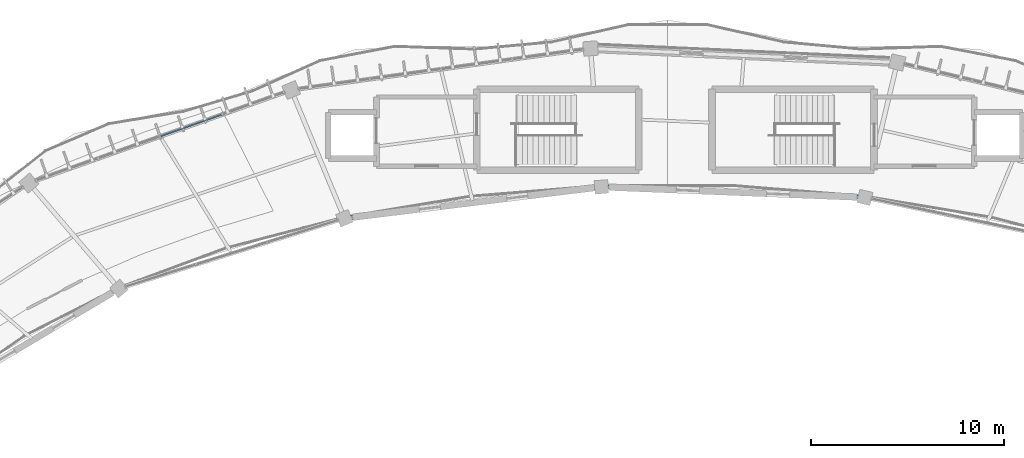
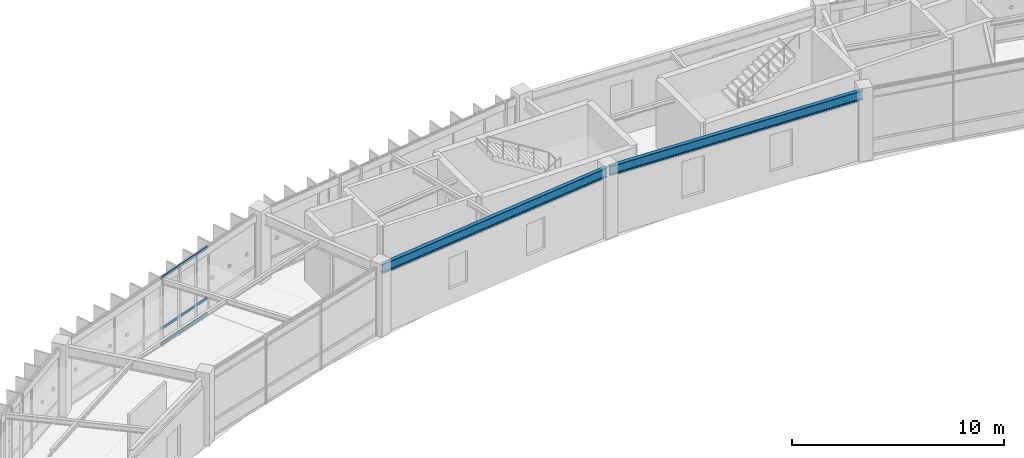
# One storey, part 71 of 152: 3 members, 2 beams, 1 element without a shape of its own.
"""IFC4 building model written with IfcOpenShell, lengths in metres."""

from ifc_helpers import new_model, si_unit, direction, frame, origin, origin_2d, place, context, subcontext, project, spatial, hollow_rectangle, i_section, extrude, material, material_profile, profile_set, type_object, element, aggregate, save


model = new_model("IFC4")

# Units and contexts
model_context = context("Model", 3, precision=1e-05, world=origin(), true_north=direction((0.0, 1.0)))
body_context = subcontext(model_context, "Body", "Model", "MODEL_VIEW")
ifc_project = project(units=[si_unit("LENGTHUNIT", "METRE"), si_unit("AREAUNIT", "SQUARE_METRE"), si_unit("VOLUMEUNIT", "CUBIC_METRE"), si_unit("PLANEANGLEUNIT", "RADIAN"), si_unit("MASSUNIT", "GRAM", prefix="KILO"), si_unit("THERMODYNAMICTEMPERATUREUNIT", "KELVIN"), si_unit("POWERUNIT", "WATT")], contexts=[model_context])

# Site, building, storey
site_placement = place(None, origin())
site = spatial("IfcSite", under=ifc_project, at=site_placement, CompositionType="ELEMENT")
building_placement = place(site_placement, origin())
building = spatial("IfcBuilding", under=site, at=building_placement, Name="Darbajah Civic Hall", CompositionType="ELEMENT")
storey_placement = place(building_placement, frame((0.0, 0.0, 5.39990234375)))
storey = spatial("IfcBuildingStorey", under=building, at=storey_placement, Name="L01", CompositionType="ELEMENT", Elevation=5.39990234375)

# Curtain wall, members
ifc_material_1 = material(Name="Anodised Bronze Aluminium and Low-E Glazing", Category="aluminium")
curtain_wall_type = type_object("IfcCurtainWallType", Name="Unitised Curtain Wall CW-24 13700x3900", PredefinedType="USERDEFINED", material=ifc_material_1)
curtain_wall_placement = place(storey_placement, origin())
curtain_wall = element("IfcCurtainWall", 1, at=curtain_wall_placement, inside=storey, type_object=curtain_wall_type, Name="L01 unitised curtain wall CW-V1O-L01-06", ObjectType="UNITISED CURTAIN WALL", PredefinedType="USERDEFINED")
ifc_material_2 = material(Name="Anodised Bronze Aluminium", Category="aluminium")
ifc_material_profile_1 = material_profile(ifc_material_2, hollow_rectangle(XDim=0.06494140625, YDim=0.139892578125, WallThickness=0.00341796875, at=origin_2d()), Name="ALU TRANSOM 65x140")
ifc_profile_set_1 = profile_set([ifc_material_profile_1], Name="Anodised Bronze Aluminium")
member_type = type_object("IfcMemberType", Name="ALU TRANSOM 65x140", PredefinedType="USERDEFINED", material=ifc_profile_set_1)
member_1_placement = place(storey_placement, frame((65.968994140625, 115.773193359375, 0.070068359375), z_axis=(-0.942559740686, -0.334037625483, 0.0), x_axis=(0.334037625483, -0.942559740686, 0.0)))
member_1 = element("IfcMember", 2, at=member_1_placement, type_object=member_type, Name="CW-V1O-L01-06 transom 2.1", ObjectType="TRANSOM", PredefinedType="USERDEFINED", context=body_context, shape_type="SweptSolid", body=[
    extrude(hollow_rectangle(XDim=0.06494140625, YDim=0.139892578125, WallThickness=0.00341796875, at=origin_2d()), origin(), (0.0, 0.0, 1.0), 3.34521484375),
])
member_2_placement = place(storey_placement, frame((65.968994140625, 115.773193359375, 0.9501953125), z_axis=(-0.942559740686, -0.334037625483, 0.0), x_axis=(0.334037625483, -0.942559740686, 0.0)))
member_2 = element("IfcMember", 3, at=member_2_placement, type_object=member_type, Name="CW-V1O-L01-06 transom 2.2", ObjectType="TRANSOM", PredefinedType="USERDEFINED", context=body_context, shape_type="SweptSolid", body=[
    extrude(hollow_rectangle(XDim=0.06494140625, YDim=0.139892578125, WallThickness=0.00341796875, at=origin_2d()), origin(), (0.0, 0.0, 1.0), 3.34521484375),
])
member_3_placement = place(storey_placement, frame((65.968994140625, 115.773193359375, 3.85009765625), z_axis=(-0.942559740686, -0.334037625483, 0.0), x_axis=(0.334037625483, -0.942559740686, 0.0)))
member_3 = element("IfcMember", 4, at=member_3_placement, type_object=member_type, Name="CW-V1O-L01-06 transom 2.3", ObjectType="TRANSOM", PredefinedType="USERDEFINED", context=body_context, shape_type="SweptSolid", body=[
    extrude(hollow_rectangle(XDim=0.06494140625, YDim=0.139892578125, WallThickness=0.00341796875, at=origin_2d()), origin(), (0.0, 0.0, 1.0), 3.34521484375),
])
aggregate(curtain_wall, [member_1, member_2, member_3])

# Beams
ifc_material_3 = material(Name="Steel S355JR", Category="steel")
ifc_material_profile_2 = material_profile(ifc_material_3, i_section(OverallWidth=0.209228515625, OverallDepth=0.533203125, WebThickness=0.010009765625, FlangeThickness=0.015625, FilletRadius=0.0126953125, at=origin_2d()), Name="UB 533x210x92")
ifc_profile_set_2 = profile_set([ifc_material_profile_2], Name="Steel S355JR")
beam_type = type_object("IfcBeamType", Name="UB 533x210x92", PredefinedType="BEAM", material=ifc_profile_set_2)
beam_1_placement = place(storey_placement, frame((99.2451171875, 111.487060546875, 3.653564453125), z_axis=(-0.999198156642, 0.040038028952, 0.0), x_axis=(-0.040038028952, -0.999198156642, 0.0)))
element("IfcBeam", 5, at=beam_1_placement, inside=storey, type_object=beam_type, Name="L01 beam SB-533", PredefinedType="BEAM", context=body_context, shape_type="SweptSolid", body=[
    extrude(i_section(OverallWidth=0.209228515625, OverallDepth=0.533203125, WebThickness=0.010009765625, FlangeThickness=0.015625, FilletRadius=0.0126953125, at=origin_2d()), origin(), (0.0, 0.0, 1.0), 13.512451171875),
])
beam_2_placement = place(storey_placement, frame((85.583984375, 112.021484375, 3.653564453125), z_axis=(-0.992611744559, -0.121333938216, 0.0), x_axis=(0.121333938216, -0.992611744559, 0.0)))
element("IfcBeam", 6, at=beam_2_placement, inside=storey, type_object=beam_type, Name="L01 beam SB-533", PredefinedType="BEAM", context=body_context, shape_type="SweptSolid", body=[
    extrude(i_section(OverallWidth=0.209228515625, OverallDepth=0.533203125, WebThickness=0.010009765625, FlangeThickness=0.015625, FilletRadius=0.0126953125, at=origin_2d()), origin(), (0.0, 0.0, 1.0), 13.263916015625),
])

save(model, "model.ifc")
